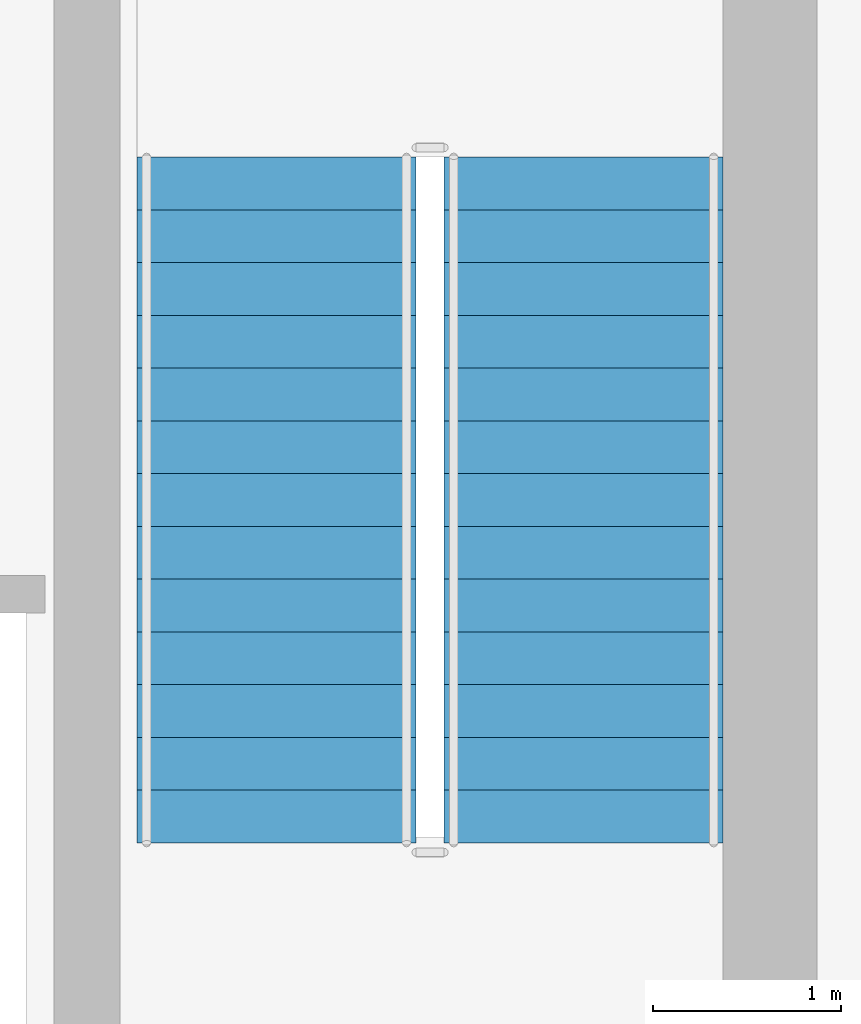
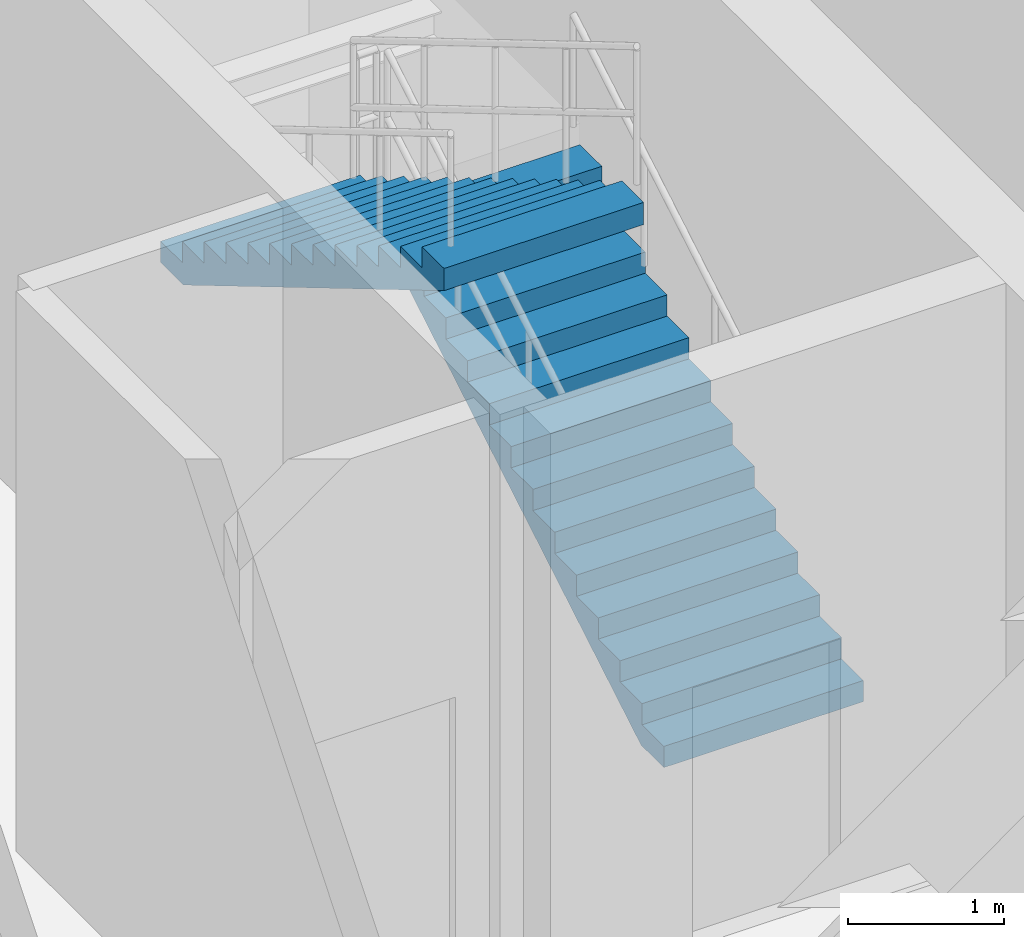
# One storey, part 37 of 39: 2 stair flights, 1 element without a shape of its own.
"""IFC4 building model written with IfcOpenShell, lengths in metres."""

from ifc_helpers import new_model, si_unit, direction, frame, origin, place, context, subcontext, project, spatial, polyline, outline, extrude, material, type_object, element, aggregate, save


model = new_model("IFC4")

# Units and contexts
model_context = context("Model", 3, precision=1e-05, world=origin(), true_north=direction((0.0, 1.0)))
body_context = subcontext(model_context, "Body", "Model", "MODEL_VIEW")
ifc_project = project(units=[si_unit("LENGTHUNIT", "METRE"), si_unit("AREAUNIT", "SQUARE_METRE"), si_unit("VOLUMEUNIT", "CUBIC_METRE"), si_unit("PLANEANGLEUNIT", "RADIAN"), si_unit("MASSUNIT", "GRAM", prefix="KILO")], contexts=[model_context])

# Site, building, storey
site_placement = place(None, origin())
site = spatial("IfcSite", under=ifc_project, at=site_placement, CompositionType="ELEMENT")
building_placement = place(site_placement, origin())
building = spatial("IfcBuilding", under=site, at=building_placement, Name="Veraguas Prism Commons", CompositionType="ELEMENT")
storey_placement = place(building_placement, frame((0.0, 0.0, 264.25)))
storey = spatial("IfcBuildingStorey", under=building, at=storey_placement, Name="L75", CompositionType="ELEMENT", Elevation=264.25)

# Stair, stair flights
ifc_material = material(Name="Precast concrete C45/55", Category="concrete")
stair_type = type_object("IfcStairType", Name="Dogleg Core Stair 1480W 28R 07", PredefinedType="HALF_TURN_STAIR", material=ifc_material)
stair_placement = place(storey_placement, origin())
stair = element("IfcStair", 1, at=stair_placement, inside=storey, type_object=stair_type, Name="Protected Exit Stair ST-02 L75", PredefinedType="HALF_TURN_STAIR")
stair_flight_type = type_object("IfcStairFlightType", Name="Precast Stair Flight 1480W 14R 07", PredefinedType="STRAIGHT", material=ifc_material)
stair_flight_1_placement = place(storey_placement, frame((29.659912109375, 21.280029296875, 0.0), z_axis=(0.0, 0.0, 1.0), x_axis=(0.0, 1.0, 0.0)))
stair_flight_1 = element("IfcStairFlight", 2, at=stair_flight_1_placement, type_object=stair_flight_type, Name="ST-07 Flight 1", NumberOfRisers=14, NumberOfTreads=13, PredefinedType="STRAIGHT", RiserHeight=0.166071429, TreadLength=0.28, context=body_context, shape_type="SweptSolid", body=[
    extrude(outline(polyline([(0.0, 0.0), (0.0, 0.166015625), (0.280029296875, 0.166015625), (0.280029296875, 0.33203125), (0.56005859375, 0.33203125), (0.56005859375, 0.498291015625), (0.840087890625, 0.498291015625), (0.840087890625, 0.664306640625), (1.1201171875, 0.664306640625), (1.1201171875, 0.830322265625), (1.39990234375, 0.830322265625), (1.39990234375, 0.996337890625), (1.679931640625, 0.996337890625), (1.679931640625, 1.16259765625), (1.9599609375, 1.16259765625), (1.9599609375, 1.32861328125), (2.239990234375, 1.32861328125), (2.239990234375, 1.49462890625), (2.52001953125, 1.49462890625), (2.52001953125, 1.66064453125), (2.800048828125, 1.66064453125), (2.800048828125, 1.826904296875), (3.080078125, 1.826904296875), (3.080078125, 1.992919921875), (3.360107421875, 1.992919921875), (3.360107421875, 2.158935546875), (3.639892578125, 2.158935546875), (3.639892578125, 2.324951171875), (3.639892578125, 1.984619140625), (0.2939453125, 0.0), (0.0, 0.0)])), frame((0.0, 0.739990234375, 0.0), z_axis=(0.0, -1.0, 0.0), x_axis=(1.0, 0.0, 0.0)), (0.0, 0.0, 1.0), 1.47998046875),
])
stair_flight_2_placement = place(storey_placement, frame((28.030029296875, 24.919921875, 2.324951171875), z_axis=(0.0, 0.0, 1.0), x_axis=(0.0, -1.0, 0.0)))
stair_flight_2 = element("IfcStairFlight", 3, at=stair_flight_2_placement, type_object=stair_flight_type, Name="ST-07 Flight 2", NumberOfRisers=14, NumberOfTreads=13, PredefinedType="STRAIGHT", RiserHeight=0.166071429, TreadLength=0.28, context=body_context, shape_type="SweptSolid", body=[
    extrude(outline(polyline([(0.0, 0.0), (0.0, 0.166015625), (0.280029296875, 0.166015625), (0.280029296875, 0.33203125), (0.56005859375, 0.33203125), (0.56005859375, 0.498291015625), (0.840087890625, 0.498291015625), (0.840087890625, 0.664306640625), (1.1201171875, 0.664306640625), (1.1201171875, 0.830322265625), (1.39990234375, 0.830322265625), (1.39990234375, 0.996337890625), (1.679931640625, 0.996337890625), (1.679931640625, 1.16259765625), (1.9599609375, 1.16259765625), (1.9599609375, 1.32861328125), (2.239990234375, 1.32861328125), (2.239990234375, 1.49462890625), (2.52001953125, 1.49462890625), (2.52001953125, 1.66064453125), (2.800048828125, 1.66064453125), (2.800048828125, 1.826904296875), (3.080078125, 1.826904296875), (3.080078125, 1.992919921875), (3.360107421875, 1.992919921875), (3.360107421875, 2.158935546875), (3.639892578125, 2.158935546875), (3.639892578125, 2.324951171875), (3.639892578125, 1.984619140625), (0.2939453125, 0.0), (0.0, 0.0)])), frame((0.0, 0.739990234375, 0.0), z_axis=(0.0, -1.0, 0.0), x_axis=(1.0, 0.0, 0.0)), (0.0, 0.0, 1.0), 1.47998046875),
])
aggregate(stair, [stair_flight_1, stair_flight_2])

save(model, "model.ifc")
